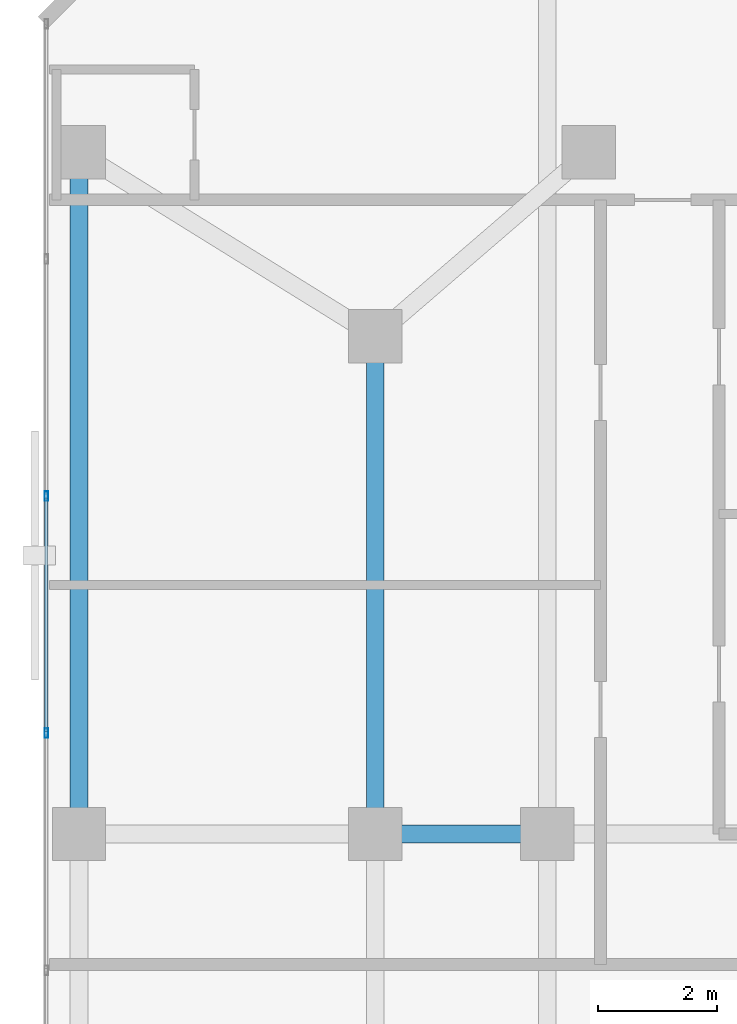
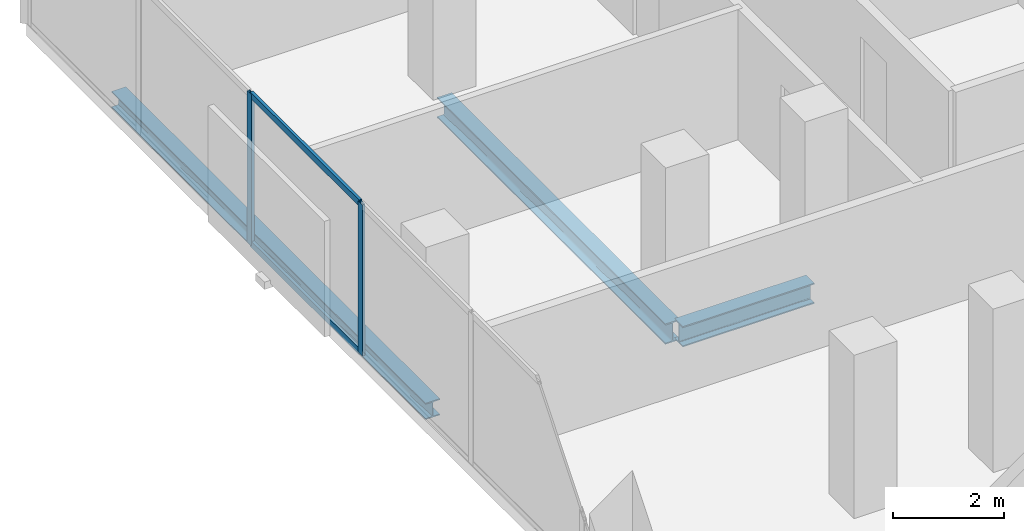
# One storey, part 11 of 33: 4 members, 3 beams, 1 element without a shape of its own.
"""IFC4 building model written with IfcOpenShell, lengths in metres."""

from ifc_helpers import new_model, si_unit, direction, frame, origin, origin_2d, place, context, subcontext, project, spatial, hollow_rectangle, i_section, extrude, material, layer, layer_set, material_profile, profile_set, type_object, element, aggregate, save


model = new_model("IFC4")

# Units and contexts
model_context = context("Model", 3, precision=1e-05, world=origin(), true_north=direction((0.0, 1.0)))
body_context = subcontext(model_context, "Body", "Model", "MODEL_VIEW")
ifc_project = project(units=[si_unit("LENGTHUNIT", "METRE"), si_unit("AREAUNIT", "SQUARE_METRE"), si_unit("VOLUMEUNIT", "CUBIC_METRE"), si_unit("PLANEANGLEUNIT", "RADIAN"), si_unit("MASSUNIT", "GRAM", prefix="KILO")], contexts=[model_context])

# Site, building, storey
site_placement = place(None, origin())
site = spatial("IfcSite", under=ifc_project, at=site_placement, CompositionType="ELEMENT")
building_placement = place(site_placement, origin())
building = spatial("IfcBuilding", under=site, at=building_placement, Name="Catumbela Crestline Tower", CompositionType="ELEMENT")
storey_placement = place(building_placement, frame((0.0, 0.0, 104.4)))
storey = spatial("IfcBuildingStorey", under=building, at=storey_placement, Name="L26", CompositionType="ELEMENT", Elevation=104.4)

# Beams
ifc_material_1 = material(Name="Structural steel S355J2", Category="steel")
ifc_material_profile_1 = material_profile(ifc_material_1, i_section(OverallWidth=0.3, OverallDepth=0.45, WebThickness=0.014, FlangeThickness=0.026, FilletRadius=0.027, at=origin_2d()), Name="HEB 450")
ifc_profile_set_1 = profile_set([ifc_material_profile_1], Name="Structural steel S355J2")
beam_type_1 = type_object("IfcBeamType", Name="BG-HEB450", PredefinedType="BEAM", material=ifc_profile_set_1)
beam_1_placement = place(storey_placement, frame((5.68, 30.8, -0.485), z_axis=(1.0, 0.0, 0.0), x_axis=(0.0, 1.0, 0.0)))
element("IfcBeam", 1, at=beam_1_placement, inside=storey, type_object=beam_type_1, Name="L26 Beam BM-L26-M08", PredefinedType="BEAM", context=body_context, shape_type="SweptSolid", body=[
    extrude(i_section(OverallWidth=0.3, OverallDepth=0.45, WebThickness=0.014, FlangeThickness=0.026, FilletRadius=0.027, at=origin_2d()), origin(), (0.0, 0.0, 1.0), 2.74),
])
beam_2_placement = place(storey_placement, frame((5.6, 30.88, -0.485), z_axis=(0.0, 1.0, 0.0), x_axis=(-1.0, 0.0, 0.0)))
element("IfcBeam", 2, at=beam_2_placement, inside=storey, type_object=beam_type_1, Name="L26 Beam BM-L26-SN25", PredefinedType="BEAM", context=body_context, shape_type="SweptSolid", body=[
    extrude(i_section(OverallWidth=0.3, OverallDepth=0.45, WebThickness=0.014, FlangeThickness=0.026, FilletRadius=0.027, at=origin_2d()), origin(), (0.0, 0.0, 1.0), 8.24),
])

# Curtain wall, members
ifc_material_2 = material(Name="Aluminium alloy AW-6060-T66", Category="aluminium")
ifc_layer = layer(ifc_material_2, 0.18, Name="Aluminium alloy AW-6060-T66")
ifc_layer_set = layer_set([ifc_layer], Name="Aluminium alloy AW-6060-T66")
curtain_wall_type = type_object("IfcCurtainWallType", Name="CWU-Z2", PredefinedType="USERDEFINED", material=ifc_layer_set)
curtain_wall_placement = place(storey_placement, origin())
curtain_wall = element("IfcCurtainWall", 3, at=curtain_wall_placement, inside=storey, type_object=curtain_wall_type, Name="L26 Unitised Curtain Wall CW-L26-E9S1", ObjectType="UNITISED", PredefinedType="USERDEFINED")
ifc_material_profile_2 = material_profile(ifc_material_2, hollow_rectangle(XDim=0.06, YDim=0.16, WallThickness=0.004, at=origin_2d()), Name="ALU 160x60x4")
ifc_profile_set_2 = profile_set([ifc_material_profile_2], Name="Aluminium alloy AW-6060-T66")
member_type_1 = type_object("IfcMemberType", Name="MUL-160X60", PredefinedType="MULLION", material=ifc_profile_set_2)
member_1_placement = place(storey_placement, frame((0.05, 36.5, 0.0), z_axis=(0.0, 0.0, 1.0), x_axis=(1.0, 0.0, 0.0)))
member_1 = element("IfcMember", 4, at=member_1_placement, type_object=member_type_1, Name="CWU-Z2 mullion 3", PredefinedType="MULLION", context=body_context, shape_type="SweptSolid", body=[
    extrude(hollow_rectangle(XDim=0.06, YDim=0.16, WallThickness=0.004, at=origin_2d()), origin(), (0.0, 0.0, 1.0), 3.33),
])
member_2_placement = place(storey_placement, frame((0.05, 32.5, 0.0), z_axis=(0.0, 0.0, 1.0), x_axis=(1.0, 0.0, 0.0)))
member_2 = element("IfcMember", 5, at=member_2_placement, type_object=member_type_1, Name="CWU-Z2 mullion 4", PredefinedType="MULLION", context=body_context, shape_type="SweptSolid", body=[
    extrude(hollow_rectangle(XDim=0.06, YDim=0.16, WallThickness=0.004, at=origin_2d()), origin(), (0.0, 0.0, 1.0), 3.33),
])

# Beam
ifc_material_profile_3 = material_profile(ifc_material_1, i_section(OverallWidth=0.3, OverallDepth=0.36, WebThickness=0.0125, FlangeThickness=0.0225, FilletRadius=0.027, at=origin_2d()), Name="HEB 360")
ifc_profile_set_3 = profile_set([ifc_material_profile_3], Name="Structural steel S355J2")
beam_type_2 = type_object("IfcBeamType", Name="BS-HEB360", PredefinedType="SPANDREL", material=ifc_profile_set_3)
beam_3_placement = place(storey_placement, frame((0.6, 30.88, -0.44), z_axis=(0.0, 1.0, 0.0), x_axis=(-1.0, 0.0, 0.0)))
element("IfcBeam", 6, at=beam_3_placement, inside=storey, type_object=beam_type_2, Name="L26 Spandrel SP-L26-SN23", PredefinedType="SPANDREL", context=body_context, shape_type="SweptSolid", body=[
    extrude(i_section(OverallWidth=0.3, OverallDepth=0.36, WebThickness=0.0125, FlangeThickness=0.0225, FilletRadius=0.027, at=origin_2d()), origin(), (0.0, 0.0, 1.0), 11.34),
])

# Member
ifc_material_profile_4 = material_profile(ifc_material_2, hollow_rectangle(XDim=0.06, YDim=0.14, WallThickness=0.004, at=origin_2d()), Name="ALU 140x60x4")
ifc_profile_set_4 = profile_set([ifc_material_profile_4], Name="Aluminium alloy AW-6060-T66")
member_type_2 = type_object("IfcMemberType", Name="TRN-140X60", PredefinedType="USERDEFINED", material=ifc_profile_set_4)
member_3_placement = place(storey_placement, frame((0.05, 36.4675, 0.03), z_axis=(0.0, -1.0, 0.0), x_axis=(1.0, 0.0, 0.0)))
member_3 = element("IfcMember", 7, at=member_3_placement, type_object=member_type_2, Name="CWU-Z2 transom 3.1", ObjectType="TRANSOM", PredefinedType="USERDEFINED", context=body_context, shape_type="SweptSolid", body=[
    extrude(hollow_rectangle(XDim=0.06, YDim=0.14, WallThickness=0.004, at=origin_2d()), origin(), (0.0, 0.0, 1.0), 3.935),
])

member_4_placement = place(storey_placement, frame((0.05, 36.4675, 3.3), z_axis=(0.0, -1.0, 0.0), x_axis=(1.0, 0.0, 0.0)))
member_4 = element("IfcMember", 8, at=member_4_placement, type_object=member_type_2, Name="CWU-Z2 transom 3.2", ObjectType="TRANSOM", PredefinedType="USERDEFINED", context=body_context, shape_type="SweptSolid", body=[
    extrude(hollow_rectangle(XDim=0.06, YDim=0.14, WallThickness=0.004, at=origin_2d()), origin(), (0.0, 0.0, 1.0), 3.935),
])

aggregate(curtain_wall, [member_1, member_2, member_3, member_4])

save(model, "model.ifc")
